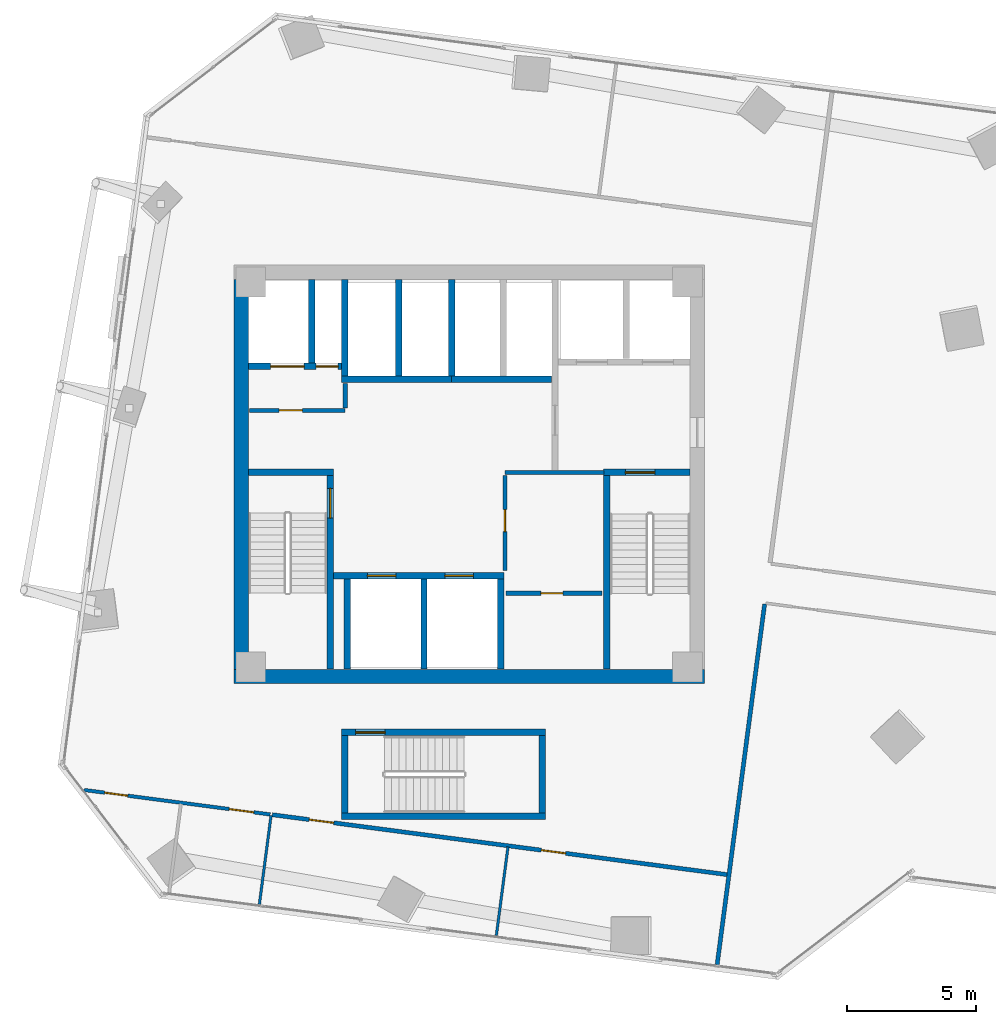
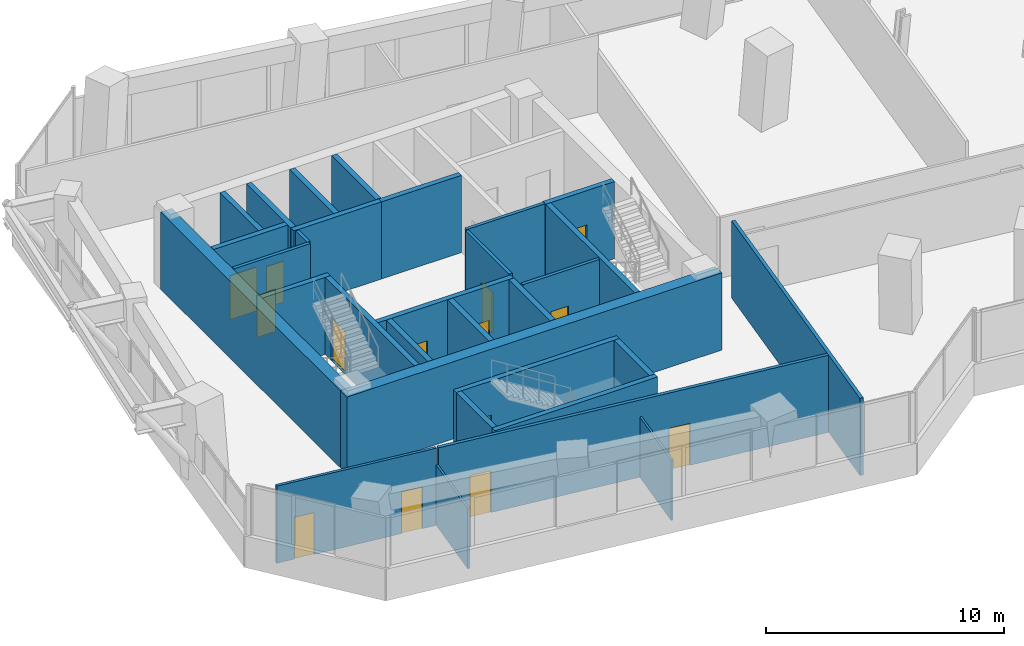
# One storey, part 18 of 24: 31 walls, 14 doors, 14 openings.
"""IFC4 building model written with IfcOpenShell, lengths in metres."""

from ifc_helpers import new_model, si_unit, direction, frame, frame_2d, origin, place, context, subcontext, project, spatial, rectangle, extrude, source, transform, mapped, material, layer, layer_set, type_object, element, fill, save


model = new_model("IFC4")

# Units and contexts
model_context = context("Model", 3, precision=1e-05, world=origin(), true_north=direction((0.0, 1.0)))
body_context = subcontext(model_context, "Body", "Model", "MODEL_VIEW")
ifc_project = project(units=[si_unit("LENGTHUNIT", "METRE"), si_unit("AREAUNIT", "SQUARE_METRE"), si_unit("VOLUMEUNIT", "CUBIC_METRE"), si_unit("PLANEANGLEUNIT", "RADIAN"), si_unit("MASSUNIT", "GRAM", prefix="KILO")], contexts=[model_context])

# Site, building, storey
site_placement = place(None, origin())
site = spatial("IfcSite", under=ifc_project, at=site_placement, CompositionType="ELEMENT")
building_placement = place(site_placement, origin())
building = spatial("IfcBuilding", under=site, at=building_placement, Name="Torre Montelarca", CompositionType="ELEMENT")
storey_placement = place(building_placement, frame((0.0, 0.0, 70.60009765625)))
storey = spatial("IfcBuildingStorey", under=building, at=storey_placement, Name="L15", CompositionType="ELEMENT", Elevation=70.60009765625)

# Wall, opening, door
ifc_material_1 = material(Name="Concrete C40/50", Category="concrete")
ifc_layer_1 = layer(ifc_material_1, 0.25, Name="Concrete C40/50", Category="concrete")
ifc_layer_set_1 = layer_set([ifc_layer_1], Name="Concrete C40/50")
wall_type_1 = type_object("IfcWallType", Name="CW-SHAFT-250", PredefinedType="SHEAR", material=ifc_layer_set_1)
wall_1_placement = place(storey_placement, frame((12.625, 24.4599609375, 0.0), z_axis=(0.0, 0.0, 1.0), x_axis=(0.0, 1.0, 0.0)))
wall_1 = element("IfcWall", 1, at=wall_1_placement, inside=storey, type_object=wall_type_1, Name="L15 Core Shear Wall SH-ST1-E", PredefinedType="SHEAR", context=body_context, shape_type="SweptSolid", body=[
    extrude(rectangle(XDim=7.489990234375, YDim=0.25, at=frame_2d((3.7451171875, 0.0))), origin(), (0.0, 0.0, 1.0), 3.9599609375),
])
opening_1_placement = place(wall_1_placement, frame((5.85009765625, 0.0, 0.0)))
opening_1 = element("IfcOpeningElement", 2, at=opening_1_placement, cuts=wall_1, Name="Opening FD-ST1", PredefinedType="OPENING", context=body_context, shape_type="SweptSolid", body=[
    extrude(rectangle(XDim=1.14990234375, YDim=2.199951171875, at=frame_2d((0.574951171875, 1.10009765625))), frame((0.0, 0.135009765625, 0.0), z_axis=(0.0, -1.0, 0.0), x_axis=(1.0, 0.0, 0.0)), (0.0, 0.0, 1.0), 0.27001953125),
])
ifc_material_2 = material(Name="Galvanized steel fire door", Category="steel")
door_type_1 = type_object("IfcDoorType", Name="DR-STAIR-115", OperationType="NOTDEFINED", PredefinedType="DOOR", material=ifc_material_2)
shared_shape_1 = source(origin(), body_context, "Body", "SweptSolid", [
    extrude(rectangle(XDim=1.14990234375, YDim=2.199951171875, at=frame_2d((0.574951171875, 1.10009765625))), frame((0.0, 0.02490234375, 0.0), z_axis=(0.0, -1.0, 0.0), x_axis=(1.0, 0.0, 0.0)), (0.0, 0.0, 1.0), 0.050048828125),
])
door_1_placement = place(opening_1_placement, origin())
door_1 = element("IfcDoor", 3, at=door_1_placement, inside=storey, type_object=door_type_1, Name="L15 Exit Stair ST1 Fire Door", OperationType="SINGLE_SWING_RIGHT", OverallHeight=2.199951171875, OverallWidth=1.14990234375, PredefinedType="DOOR", context=body_context, shape_type="MappedRepresentation", body=[
    mapped(shared_shape_1, transform((0.0, 0.0, 0.0), scale=1.0)),
])
fill(opening_1, door_1)

# Walls
wall_2_placement = place(storey_placement, frame((9.4599609375, 32.074951171875, 0.0), z_axis=(0.0, 0.0, 1.0), x_axis=(1.0, 0.0, 0.0)))
element("IfcWall", 4, at=wall_2_placement, inside=storey, type_object=wall_type_1, Name="L15 Core Shear Wall SH-ST1-N", PredefinedType="SHEAR", context=body_context, shape_type="SweptSolid", body=[
    extrude(rectangle(XDim=3.2900390625, YDim=0.25, at=frame_2d((1.64501953125, 0.0))), origin(), (0.0, 0.0, 1.0), 3.9599609375),
])
wall_3_placement = place(storey_placement, frame((23.31494140625, 24.4599609375, 0.0), z_axis=(0.0, 0.0, 1.0), x_axis=(0.0, 1.0, 0.0)))
element("IfcWall", 5, at=wall_3_placement, inside=storey, type_object=wall_type_1, Name="L15 Core Shear Wall SH-ST2-W", PredefinedType="SHEAR", context=body_context, shape_type="SweptSolid", body=[
    extrude(rectangle(XDim=7.489990234375, YDim=0.25, at=frame_2d((3.7451171875, 0.0))), origin(), (0.0, 0.0, 1.0), 3.9599609375),
])

# Wall, opening, door
wall_4_placement = place(storey_placement, frame((23.18994140625, 32.074951171875, 0.0), z_axis=(0.0, 0.0, 1.0), x_axis=(1.0, 0.0, 0.0)))
wall_4 = element("IfcWall", 6, at=wall_4_placement, inside=storey, type_object=wall_type_1, Name="L15 Core Shear Wall SH-ST2-N", PredefinedType="SHEAR", context=body_context, shape_type="SweptSolid", body=[
    extrude(rectangle(XDim=3.35009765625, YDim=0.25, at=frame_2d((1.675048828125, 0.0))), origin(), (0.0, 0.0, 1.0), 3.9599609375),
])
opening_2_placement = place(wall_4_placement, frame((0.85009765625, 0.0, 0.0)))
opening_2 = element("IfcOpeningElement", 7, at=opening_2_placement, cuts=wall_4, Name="Opening FD-ST1", PredefinedType="OPENING", context=body_context, shape_type="SweptSolid", body=[
    extrude(rectangle(XDim=1.14990234375, YDim=2.199951171875, at=frame_2d((0.574951171875, 1.10009765625))), frame((0.0, 0.135009765625, 0.0), z_axis=(0.0, -1.0, 0.0), x_axis=(1.0, 0.0, 0.0)), (0.0, 0.0, 1.0), 0.27001953125),
])
door_2_placement = place(opening_2_placement, origin())
door_2 = element("IfcDoor", 8, at=door_2_placement, inside=storey, type_object=door_type_1, Name="L15 Exit Stair ST2 Fire Door", OperationType="SINGLE_SWING_RIGHT", OverallHeight=2.199951171875, OverallWidth=1.14990234375, PredefinedType="DOOR", context=body_context, shape_type="MappedRepresentation", body=[
    mapped(shared_shape_1, transform((0.0, 0.0, 0.0), scale=1.0)),
])
fill(opening_2, door_2)

# Wall, openings, doors
wall_5_placement = place(storey_placement, frame((9.4599609375, 36.179931640625, 0.0), z_axis=(0.0, 0.0, 1.0), x_axis=(1.0, 0.0, 0.0)))
wall_5 = element("IfcWall", 9, at=wall_5_placement, inside=storey, type_object=wall_type_1, Name="L15 Core Shear Wall SH-SV1-S", PredefinedType="SHEAR", context=body_context, shape_type="SweptSolid", body=[
    extrude(rectangle(XDim=3.7900390625, YDim=0.25, at=frame_2d((1.89501953125, 0.0))), origin(), (0.0, 0.0, 1.0), 3.9599609375),
])
opening_3_placement = place(wall_5_placement, frame((2.6201171875, 0.0, 0.0)))
opening_3 = element("IfcOpeningElement", 10, at=opening_3_placement, cuts=wall_5, Name="Opening FD-085", PredefinedType="OPENING", context=body_context, shape_type="SweptSolid", body=[
    extrude(rectangle(XDim=0.85009765625, YDim=2.10009765625, at=frame_2d((0.425048828125, 1.050048828125))), frame((0.0, 0.135009765625, 0.0), z_axis=(0.0, -1.0, 0.0), x_axis=(1.0, 0.0, 0.0)), (0.0, 0.0, 1.0), 0.27001953125),
])
opening_4_placement = place(wall_5_placement, frame((0.85009765625, 0.0, 0.0)))
opening_4 = element("IfcOpeningElement", 11, at=opening_4_placement, cuts=wall_5, Name="Opening LD-130", PredefinedType="OPENING", context=body_context, shape_type="SweptSolid", body=[
    extrude(rectangle(XDim=1.300048828125, YDim=2.25, at=frame_2d((0.64990234375, 1.125))), frame((0.0, 0.135009765625, 0.0), z_axis=(0.0, -1.0, 0.0), x_axis=(1.0, 0.0, 0.0)), (0.0, 0.0, 1.0), 0.27001953125),
])
ifc_material_3 = material(Name="Steel riser access fire door", Category="steel")
door_type_2 = type_object("IfcDoorType", Name="DR-RISER-085", OperationType="NOTDEFINED", PredefinedType="DOOR", material=ifc_material_3)
shared_shape_2 = source(origin(), body_context, "Body", "SweptSolid", [
    extrude(rectangle(XDim=0.85009765625, YDim=2.10009765625, at=frame_2d((0.425048828125, 1.050048828125))), frame((0.0, 0.02490234375, 0.0), z_axis=(0.0, -1.0, 0.0), x_axis=(1.0, 0.0, 0.0)), (0.0, 0.0, 1.0), 0.050048828125),
])
door_3_placement = place(opening_3_placement, origin())
door_3 = element("IfcDoor", 12, at=door_3_placement, inside=storey, type_object=door_type_2, Name="L15 Electrical Riser Shaft Access Door", OperationType="SINGLE_SWING_RIGHT", OverallHeight=2.10009765625, OverallWidth=0.85009765625, PredefinedType="DOOR", context=body_context, shape_type="MappedRepresentation", body=[
    mapped(shared_shape_2, transform((0.0, 0.0, 0.0), scale=1.0)),
])
fill(opening_3, door_3)
ifc_material_4 = material(Name="Brushed stainless steel AISI 316", Category="steel")
door_type_3 = type_object("IfcDoorType", Name="DR-LIFT-130", OperationType="SLIDING_TO_LEFT", PredefinedType="DOOR", material=ifc_material_4)
shared_shape_3 = source(origin(), body_context, "Body", "SweptSolid", [
    extrude(rectangle(XDim=1.300048828125, YDim=2.25, at=frame_2d((0.64990234375, 1.125))), frame((0.0, 0.02490234375, 0.0), z_axis=(0.0, -1.0, 0.0), x_axis=(1.0, 0.0, 0.0)), (0.0, 0.0, 1.0), 0.050048828125),
])
door_4_placement = place(opening_4_placement, origin())
door_4 = element("IfcDoor", 13, at=door_4_placement, inside=storey, type_object=door_type_3, Name="L15 Lift Landing Sliding Door SV-1", OperationType="SLIDING_TO_LEFT", OverallHeight=2.25, OverallWidth=1.300048828125, PredefinedType="DOOR", context=body_context, shape_type="MappedRepresentation", body=[
    mapped(shared_shape_3, transform((0.0, 0.0, 0.0), scale=1.0)),
])
fill(opening_4, door_4)

# Wall
wall_6_placement = place(storey_placement, frame((11.89990234375, 36.31005859375, 0.0), z_axis=(0.0, 0.0, 1.0), x_axis=(0.0, 1.0, 0.0)))
element("IfcWall", 14, at=wall_6_placement, inside=storey, type_object=wall_type_1, Name="L15 Core Shear Wall SH-SV1-E", PredefinedType="SHEAR", context=body_context, shape_type="SweptSolid", body=[
    extrude(rectangle(XDim=3.22998046875, YDim=0.25, at=frame_2d((1.614990234375, 0.0))), origin(), (0.0, 0.0, 1.0), 3.9599609375),
])

# Wall, openings, doors
wall_7_placement = place(storey_placement, frame((12.6298828125, 28.080078125, 0.0), z_axis=(0.0, 0.0, 1.0), x_axis=(1.0, 0.0, 0.0)))
wall_7 = element("IfcWall", 15, at=wall_7_placement, inside=storey, type_object=wall_type_1, Name="L15 Core Shear Wall SH-PLL-N", PredefinedType="SHEAR", context=body_context, shape_type="SweptSolid", body=[
    extrude(rectangle(XDim=6.710205078125, YDim=0.25, at=frame_2d((3.35498046875, 0.0))), origin(), (0.0, 0.0, 1.0), 3.9599609375),
])
opening_5_placement = place(wall_7_placement, frame((1.429931640625, 0.0, 0.0)))
opening_5 = element("IfcOpeningElement", 16, at=opening_5_placement, cuts=wall_7, Name="Opening LD-110", PredefinedType="OPENING", context=body_context, shape_type="SweptSolid", body=[
    extrude(rectangle(XDim=1.10009765625, YDim=2.199951171875, at=frame_2d((0.550048828125, 1.10009765625))), frame((0.0, 0.135009765625, 0.0), z_axis=(0.0, -1.0, 0.0), x_axis=(1.0, 0.0, 0.0)), (0.0, 0.0, 1.0), 0.27001953125),
])
opening_6_placement = place(wall_7_placement, frame((4.429931640625, 0.0, 0.0)))
opening_6 = element("IfcOpeningElement", 17, at=opening_6_placement, cuts=wall_7, Name="Opening LD-110", PredefinedType="OPENING", context=body_context, shape_type="SweptSolid", body=[
    extrude(rectangle(XDim=1.10009765625, YDim=2.199951171875, at=frame_2d((0.550048828125, 1.10009765625))), frame((0.0, 0.135009765625, 0.0), z_axis=(0.0, -1.0, 0.0), x_axis=(1.0, 0.0, 0.0)), (0.0, 0.0, 1.0), 0.27001953125),
])
door_type_4 = type_object("IfcDoorType", Name="DR-LIFT-110", OperationType="SLIDING_TO_LEFT", PredefinedType="DOOR", material=ifc_material_4)
shared_shape_4 = source(origin(), body_context, "Body", "SweptSolid", [
    extrude(rectangle(XDim=1.10009765625, YDim=2.199951171875, at=frame_2d((0.550048828125, 1.10009765625))), frame((0.0, 0.02490234375, 0.0), z_axis=(0.0, -1.0, 0.0), x_axis=(1.0, 0.0, 0.0)), (0.0, 0.0, 1.0), 0.050048828125),
])
door_5_placement = place(opening_5_placement, origin())
door_5 = element("IfcDoor", 18, at=door_5_placement, inside=storey, type_object=door_type_4, Name="L15 Lift Landing Sliding Door PL-L1", OperationType="SLIDING_TO_LEFT", OverallHeight=2.199951171875, OverallWidth=1.10009765625, PredefinedType="DOOR", context=body_context, shape_type="MappedRepresentation", body=[
    mapped(shared_shape_4, transform((0.0, 0.0, 0.0), scale=1.0)),
])
fill(opening_5, door_5)
door_6_placement = place(opening_6_placement, origin())
door_6 = element("IfcDoor", 19, at=door_6_placement, inside=storey, type_object=door_type_4, Name="L15 Lift Landing Sliding Door PL-L2", OperationType="SLIDING_TO_RIGHT", OverallHeight=2.199951171875, OverallWidth=1.10009765625, PredefinedType="DOOR", context=body_context, shape_type="MappedRepresentation", body=[
    mapped(shared_shape_4, transform((0.0, 0.0, 0.0), scale=1.0)),
])
fill(opening_6, door_6)

# Walls
for number, where, z_axis, x_axis, name in (
    (20, (13.280029296875, 24.4599609375, 0.0), (0.0, 0.0, 1.0), (0.0, 1.0, 0.0), "L15 Core Shear Wall SH-PLL-W"),
    (21, (16.25, 24.4599609375, 0.0), (0.0, 0.0, 1.0), (0.0, 1.0, 0.0), "L15 Core Shear Wall SH-PLL-M"),
    (22, (19.219970703125, 24.4599609375, 0.0), (0.0, 0.0, 1.0), (0.0, 1.0, 0.0), "L15 Core Shear Wall SH-PLL-E"),
):
    element("IfcWall", number, at=place(storey_placement, frame(where, z_axis=z_axis, x_axis=x_axis)), inside=storey, type_object=wall_type_1, Name=name, PredefinedType="SHEAR", context=body_context, shape_type="SweptSolid", body=[
        extrude(rectangle(XDim=3.489990234375, YDim=0.25, at=frame_2d((1.7451171875, 0.0))), origin(), (0.0, 0.0, 1.0), 3.9599609375),
    ])
wall_8_placement = place(storey_placement, frame((13.06005859375, 35.679931640625, 0.0), z_axis=(0.0, 0.0, 1.0), x_axis=(1.0, 0.0, 0.0)))
element("IfcWall", 23, at=wall_8_placement, inside=storey, type_object=wall_type_1, Name="L15 Core Shear Wall SH-PLM-S", PredefinedType="SHEAR", context=body_context, shape_type="SweptSolid", body=[
    extrude(rectangle(XDim=4.25, YDim=0.25, at=frame_2d((2.125, 0.0))), origin(), (0.0, 0.0, 1.0), 3.9599609375),
])
for number, where, z_axis, x_axis, name in (
    (24, (13.179931640625, 35.81005859375, 0.0), (0.0, 0.0, 1.0), (0.0, 1.0, 0.0), "L15 Core Shear Wall SH-PLM-W"),
    (25, (15.280029296875, 35.81005859375, 0.0), (0.0, 0.0, 1.0), (0.0, 1.0, 0.0), "L15 Core Shear Wall SH-PLM-M"),
):
    element("IfcWall", number, at=place(storey_placement, frame(where, z_axis=z_axis, x_axis=x_axis)), inside=storey, type_object=wall_type_1, Name=name, PredefinedType="SHEAR", context=body_context, shape_type="SweptSolid", body=[
        extrude(rectangle(XDim=3.72998046875, YDim=0.25, at=frame_2d((1.864990234375, 0.0))), origin(), (0.0, 0.0, 1.0), 3.9599609375),
    ])
wall_9_placement = place(storey_placement, frame((17.320068359375, 35.679931640625, 0.0), z_axis=(0.0, 0.0, 1.0), x_axis=(1.0, 0.0, 0.0)))
element("IfcWall", 26, at=wall_9_placement, inside=storey, type_object=wall_type_1, Name="L15 Core Shear Wall SH-PLH-S", PredefinedType="SHEAR", context=body_context, shape_type="SweptSolid", body=[
    extrude(rectangle(XDim=3.869873046875, YDim=0.25, at=frame_2d((1.93505859375, 0.0))), origin(), (0.0, 0.0, 1.0), 3.9599609375),
])
wall_10_placement = place(storey_placement, frame((17.320068359375, 35.81005859375, 0.0), z_axis=(0.0, 0.0, 1.0), x_axis=(0.0, 1.0, 0.0)))
element("IfcWall", 27, at=wall_10_placement, inside=storey, type_object=wall_type_1, Name="L15 Core Shear Wall SH-PLH-W", PredefinedType="SHEAR", context=body_context, shape_type="SweptSolid", body=[
    extrude(rectangle(XDim=3.72998046875, YDim=0.25, at=frame_2d((1.864990234375, 0.0))), origin(), (0.0, 0.0, 1.0), 3.9599609375),
])
for number, where, z_axis, x_axis, name in (
    (28, (13.175048828125, 18.89990234375, 0.0), (0.0, 0.0, 1.0), (0.0, 1.0, 0.0), "L15 Core Shear Wall SH-ST3-W"),
    (29, (20.824951171875, 18.89990234375, 0.0), (0.0, 0.0, 1.0), (0.0, 1.0, 0.0), "L15 Core Shear Wall SH-ST3-E"),
):
    element("IfcWall", number, at=place(storey_placement, frame(where, z_axis=z_axis, x_axis=x_axis)), inside=storey, type_object=wall_type_1, Name=name, PredefinedType="SHEAR", context=body_context, shape_type="SweptSolid", body=[
        extrude(rectangle(XDim=2.989990234375, YDim=0.25, at=frame_2d((1.4951171875, 0.0))), origin(), (0.0, 0.0, 1.0), 3.9599609375),
    ])
wall_11_placement = place(storey_placement, frame((13.050048828125, 18.77490234375, 0.0), z_axis=(0.0, 0.0, 1.0), x_axis=(1.0, 0.0, 0.0)))
element("IfcWall", 30, at=wall_11_placement, inside=storey, type_object=wall_type_1, Name="L15 Core Shear Wall SH-ST3-S", PredefinedType="SHEAR", context=body_context, shape_type="SweptSolid", body=[
    extrude(rectangle(XDim=7.89990234375, YDim=0.25, at=frame_2d((3.949951171875, 0.0))), origin(), (0.0, 0.0, 1.0), 3.9599609375),
])

# Wall, opening, door
wall_12_placement = place(storey_placement, frame((13.050048828125, 22.014892578125, 0.0), z_axis=(0.0, 0.0, 1.0), x_axis=(1.0, 0.0, 0.0)))
wall_12 = element("IfcWall", 31, at=wall_12_placement, inside=storey, type_object=wall_type_1, Name="L15 Core Shear Wall SH-ST3-N", PredefinedType="SHEAR", context=body_context, shape_type="SweptSolid", body=[
    extrude(rectangle(XDim=7.89990234375, YDim=0.25, at=frame_2d((3.949951171875, 0.0))), origin(), (0.0, 0.0, 1.0), 3.9599609375),
])
opening_7_placement = place(wall_12_placement, frame((0.550048828125, 0.0, 0.0)))
opening_7 = element("IfcOpeningElement", 32, at=opening_7_placement, cuts=wall_12, Name="Opening FD-ST1", PredefinedType="OPENING", context=body_context, shape_type="SweptSolid", body=[
    extrude(rectangle(XDim=1.14990234375, YDim=2.199951171875, at=frame_2d((0.574951171875, 1.10009765625))), frame((0.0, 0.135009765625, 0.0), z_axis=(0.0, -1.0, 0.0), x_axis=(1.0, 0.0, 0.0)), (0.0, 0.0, 1.0), 0.27001953125),
])
door_7_placement = place(opening_7_placement, origin())
door_7 = element("IfcDoor", 33, at=door_7_placement, inside=storey, type_object=door_type_1, Name="L15 Exit Stair ST3 Fire Door", OperationType="SINGLE_SWING_LEFT", OverallHeight=2.199951171875, OverallWidth=1.14990234375, PredefinedType="DOOR", context=body_context, shape_type="MappedRepresentation", body=[
    mapped(shared_shape_1, transform((0.0, 0.0, 0.0), scale=1.0)),
])
fill(opening_7, door_7)

# Walls
ifc_material_5 = material(Name="Concrete C70/85", Category="concrete")
ifc_layer_2 = layer(ifc_material_5, 0.550048828125, Name="Concrete C70/85", Category="concrete")
ifc_layer_set_2 = layer_set([ifc_layer_2], Name="Concrete C70/85")
wall_type_2 = type_object("IfcWallType", Name="CW-SHEAR-550", PredefinedType="SHEAR", material=ifc_layer_set_2)
wall_13_placement = place(storey_placement, frame((9.175048828125, 24.449951171875, 0.0), z_axis=(0.0, 0.0, 1.0), x_axis=(0.0, 1.0, 0.0)))
element("IfcWall", 34, at=wall_13_placement, inside=storey, type_object=wall_type_2, Name="L15 Core Shear Wall CW-W", PredefinedType="SHEAR", context=body_context, shape_type="SweptSolid", body=[
    extrude(rectangle(XDim=15.10009765625, YDim=0.550048828125, at=frame_2d((7.550048828125, 0.0))), origin(), (0.0, 0.0, 1.0), 3.9599609375),
])
wall_14_placement = place(storey_placement, frame((8.89990234375, 24.175048828125, 0.0), z_axis=(0.0, 0.0, 1.0), x_axis=(1.0, 0.0, 0.0)))
element("IfcWall", 35, at=wall_14_placement, inside=storey, type_object=wall_type_2, Name="L15 Core Shear Wall CW-S1", PredefinedType="SHEAR", context=body_context, shape_type="SweptSolid", body=[
    extrude(rectangle(XDim=18.2001953125, YDim=0.550048828125, at=frame_2d((9.10009765625, 0.0))), origin(), (0.0, 0.0, 1.0), 3.9599609375),
])

# Wall, opening, door
ifc_material_6 = material(Name="Gypsum plasterboard on steel stud", Category="steel")
ifc_layer_3 = layer(ifc_material_6, 0.159912109375, Name="Gypsum plasterboard on steel stud", Category="steel")
ifc_layer_set_3 = layer_set([ifc_layer_3], Name="Gypsum plasterboard on steel stud")
wall_type_3 = type_object("IfcWallType", Name="PW-FIRE-160", PredefinedType="PARTITIONING", material=ifc_layer_set_3)
wall_15_placement = place(storey_placement, frame((9.489990234375, 34.47998046875, 0.0), z_axis=(0.0, 0.0, 1.0), x_axis=(1.0, 0.0, 0.0)))
wall_15 = element("IfcWall", 36, at=wall_15_placement, inside=storey, type_object=wall_type_3, Name="L15 Interior Partition CW-L15-SVS", PredefinedType="PARTITIONING", context=body_context, shape_type="SweptSolid", body=[
    extrude(rectangle(XDim=3.699951171875, YDim=0.159912109375, at=frame_2d((1.85009765625, 0.0))), origin(), (0.0, 0.0, 1.0), 3.9599609375),
])
opening_8_placement = place(wall_15_placement, frame((1.14990234375, 0.0, 0.0)))
opening_8 = element("IfcOpeningElement", 37, at=opening_8_placement, cuts=wall_15, Name="Opening FD-090", PredefinedType="OPENING", context=body_context, shape_type="SweptSolid", body=[
    extrude(rectangle(XDim=0.89990234375, YDim=2.14990234375, at=frame_2d((0.449951171875, 1.074951171875))), frame((0.0, 0.08984375, 0.0), z_axis=(0.0, -1.0, 0.0), x_axis=(1.0, 0.0, 0.0)), (0.0, 0.0, 1.0), 0.179931640625),
])
ifc_material_7 = material(Name="Steel service fire door", Category="steel")
door_type_5 = type_object("IfcDoorType", Name="DR-FIRE-090", OperationType="NOTDEFINED", PredefinedType="DOOR", material=ifc_material_7)
shared_shape_5 = source(origin(), body_context, "Body", "SweptSolid", [
    extrude(rectangle(XDim=0.89990234375, YDim=2.14990234375, at=frame_2d((0.449951171875, 1.074951171875))), frame((0.0, 0.02490234375, 0.0), z_axis=(0.0, -1.0, 0.0), x_axis=(1.0, 0.0, 0.0)), (0.0, 0.0, 1.0), 0.050048828125),
])
door_8_placement = place(opening_8_placement, origin())
door_8 = element("IfcDoor", 38, at=door_8_placement, inside=storey, type_object=door_type_5, Name="L15 Interior Door 01", OperationType="SINGLE_SWING_RIGHT", OverallHeight=2.14990234375, OverallWidth=0.89990234375, PredefinedType="DOOR", context=body_context, shape_type="MappedRepresentation", body=[
    mapped(shared_shape_5, transform((0.0, 0.0, 0.0), scale=1.0)),
])
fill(opening_8, door_8)

# Walls
wall_16_placement = place(storey_placement, frame((13.199951171875, 34.570068359375, 0.0), z_axis=(0.0, 0.0, 1.0), x_axis=(0.0, 1.0, 0.0)))
element("IfcWall", 39, at=wall_16_placement, inside=storey, type_object=wall_type_3, Name="L15 Interior Partition CW-L15-SVE", PredefinedType="PARTITIONING", context=body_context, shape_type="SweptSolid", body=[
    extrude(rectangle(XDim=0.93994140625, YDim=0.159912109375, at=frame_2d((0.469970703125, 0.0))), origin(), (0.0, 0.0, 1.0), 3.9599609375),
])
wall_17_placement = place(storey_placement, frame((19.389892578125, 32.080078125, 0.0), z_axis=(0.0, 0.0, 1.0), x_axis=(1.0, 0.0, 0.0)))
element("IfcWall", 40, at=wall_17_placement, inside=storey, type_object=wall_type_3, Name="L15 Interior Partition CW-L15-SEN", PredefinedType="PARTITIONING", context=body_context, shape_type="SweptSolid", body=[
    extrude(rectangle(XDim=3.820068359375, YDim=0.159912109375, at=frame_2d((1.91015625, 0.0))), origin(), (0.0, 0.0, 1.0), 3.9599609375),
])

# Wall, opening, door
wall_18_placement = place(storey_placement, frame((19.3798828125, 28.2900390625, 0.0), z_axis=(0.0, 0.0, 1.0), x_axis=(0.0, 1.0, 0.0)))
wall_18 = element("IfcWall", 41, at=wall_18_placement, inside=storey, type_object=wall_type_3, Name="L15 Interior Partition CW-L15-SEW", PredefinedType="PARTITIONING", context=body_context, shape_type="SweptSolid", body=[
    extrude(rectangle(XDim=3.669921875, YDim=0.159912109375, at=frame_2d((1.8349609375, 0.0))), origin(), (0.0, 0.0, 1.0), 3.9599609375),
])
opening_9_placement = place(wall_18_placement, frame((1.5, 0.0, 0.0)))
opening_9 = element("IfcOpeningElement", 42, at=opening_9_placement, cuts=wall_18, Name="Opening FD-085", PredefinedType="OPENING", context=body_context, shape_type="SweptSolid", body=[
    extrude(rectangle(XDim=0.85009765625, YDim=2.10009765625, at=frame_2d((0.425048828125, 1.050048828125))), frame((0.0, 0.08984375, 0.0), z_axis=(0.0, -1.0, 0.0), x_axis=(1.0, 0.0, 0.0)), (0.0, 0.0, 1.0), 0.179931640625),
])
door_9_placement = place(opening_9_placement, origin())
door_9 = element("IfcDoor", 43, at=door_9_placement, inside=storey, type_object=door_type_2, Name="L15 Interior Door 03", OperationType="SINGLE_SWING_RIGHT", OverallHeight=2.10009765625, OverallWidth=0.85009765625, PredefinedType="DOOR", context=body_context, shape_type="MappedRepresentation", body=[
    mapped(shared_shape_2, transform((0.0, 0.0, 0.0), scale=1.0)),
])
fill(opening_9, door_9)

wall_19_placement = place(storey_placement, frame((19.419921875, 27.39990234375, 0.0), z_axis=(0.0, 0.0, 1.0), x_axis=(1.0, 0.0, 0.0)))
wall_19 = element("IfcWall", 44, at=wall_19_placement, inside=storey, type_object=wall_type_3, Name="L15 Interior Partition CW-L15-SEM1", PredefinedType="PARTITIONING", context=body_context, shape_type="SweptSolid", body=[
    extrude(rectangle(XDim=3.719970703125, YDim=0.159912109375, at=frame_2d((1.85986328125, 0.0))), origin(), (0.0, 0.0, 1.0), 3.9599609375),
])
opening_10_placement = place(wall_19_placement, frame((1.35009765625, 0.0, 0.0)))
opening_10 = element("IfcOpeningElement", 45, at=opening_10_placement, cuts=wall_19, Name="Opening FD-085", PredefinedType="OPENING", context=body_context, shape_type="SweptSolid", body=[
    extrude(rectangle(XDim=0.85009765625, YDim=2.10009765625, at=frame_2d((0.425048828125, 1.050048828125))), frame((0.0, 0.08984375, 0.0), z_axis=(0.0, -1.0, 0.0), x_axis=(1.0, 0.0, 0.0)), (0.0, 0.0, 1.0), 0.179931640625),
])
door_10_placement = place(opening_10_placement, origin())
door_10 = element("IfcDoor", 46, at=door_10_placement, inside=storey, type_object=door_type_2, Name="L15 Interior Door 02", OperationType="SINGLE_SWING_LEFT", OverallHeight=2.10009765625, OverallWidth=0.85009765625, PredefinedType="DOOR", context=body_context, shape_type="MappedRepresentation", body=[
    mapped(shared_shape_2, transform((0.0, 0.0, 0.0), scale=1.0)),
])
fill(opening_10, door_10)

# Wall, openings, doors
wall_20_placement = place(storey_placement, frame((10.375732421875, 18.829345703125, 0.0), z_axis=(0.0, 0.0, 1.0), x_axis=(0.99144504436, -0.130524802294, 0.0)))
wall_20 = element("IfcWall", 47, at=wall_20_placement, inside=storey, type_object=wall_type_3, Name="L15 Interior Partition W-L15-SOCCN", PredefinedType="PARTITIONING", context=body_context, shape_type="SweptSolid", body=[
    extrude(rectangle(XDim=17.789794921875, YDim=0.159912109375, at=frame_2d((8.89501953125, 0.0))), origin(), (0.0, 0.0, 1.0), 3.9599609375),
])
opening_11_placement = place(wall_20_placement, frame((1.449951171875, 0.0, 0.0)))
opening_11 = element("IfcOpeningElement", 48, at=opening_11_placement, cuts=wall_20, Name="Opening FD-095", PredefinedType="OPENING", context=body_context, shape_type="SweptSolid", body=[
    extrude(rectangle(XDim=0.949951171875, YDim=2.14990234375, at=frame_2d((0.47509765625, 1.074951171875))), frame((0.0, 0.08984375, 0.0), z_axis=(0.0, -1.0, 0.0), x_axis=(1.0, 0.0, 0.0)), (0.0, 0.0, 1.0), 0.179931640625),
])
opening_12_placement = place(wall_20_placement, frame((10.5, 0.0, 0.0)))
opening_12 = element("IfcOpeningElement", 49, at=opening_12_placement, cuts=wall_20, Name="Opening FD-095", PredefinedType="OPENING", context=body_context, shape_type="SweptSolid", body=[
    extrude(rectangle(XDim=0.949951171875, YDim=2.14990234375, at=frame_2d((0.47509765625, 1.074951171875))), frame((0.0, 0.08984375, 0.0), z_axis=(0.0, -1.0, 0.0), x_axis=(1.0, 0.0, 0.0)), (0.0, 0.0, 1.0), 0.179931640625),
])
ifc_material_8 = material(Name="Timber fire-rated room door", Category="wood")
door_type_6 = type_object("IfcDoorType", Name="DR-FIRE-095", OperationType="NOTDEFINED", PredefinedType="DOOR", material=ifc_material_8)
shared_shape_6 = source(origin(), body_context, "Body", "SweptSolid", [
    extrude(rectangle(XDim=0.949951171875, YDim=2.14990234375, at=frame_2d((0.47509765625, 1.074951171875))), frame((0.0, 0.02490234375, 0.0), z_axis=(0.0, -1.0, 0.0), x_axis=(1.0, 0.0, 0.0)), (0.0, 0.0, 1.0), 0.050048828125),
])
door_11_placement = place(opening_11_placement, origin())
door_11 = element("IfcDoor", 50, at=door_11_placement, inside=storey, type_object=door_type_6, Name="L15 Interior Door 06", OperationType="SINGLE_SWING_RIGHT", OverallHeight=2.14990234375, OverallWidth=0.949951171875, PredefinedType="DOOR", context=body_context, shape_type="MappedRepresentation", body=[
    mapped(shared_shape_6, transform((0.0, 0.0, 0.0), scale=1.0)),
])
fill(opening_11, door_11)
door_12_placement = place(opening_12_placement, origin())
door_12 = element("IfcDoor", 51, at=door_12_placement, inside=storey, type_object=door_type_6, Name="L15 Interior Door 07", OperationType="SINGLE_SWING_LEFT", OverallHeight=2.14990234375, OverallWidth=0.949951171875, PredefinedType="DOOR", context=body_context, shape_type="MappedRepresentation", body=[
    mapped(shared_shape_6, transform((0.0, 0.0, 0.0), scale=1.0)),
])
fill(opening_12, door_12)

# Walls
wall_21_placement = place(storey_placement, frame((27.594970703125, 13.022216796875, 0.0), z_axis=(0.0, 0.0, 1.0), x_axis=(0.130532558102, 0.991444023269, 0.0)))
element("IfcWall", 52, at=wall_21_placement, inside=storey, type_object=wall_type_3, Name="L15 Interior Partition W-L15-ECS", PredefinedType="PARTITIONING", context=body_context, shape_type="SweptSolid", body=[
    extrude(rectangle(XDim=14.079833984375, YDim=0.159912109375, at=frame_2d((7.0400390625, 0.0))), origin(), (0.0, 0.0, 1.0), 3.9599609375),
])
ifc_material_9 = material(Name="Acoustic laminated glass partition", Category="glass")
ifc_layer_4 = layer(ifc_material_9, 0.10009765625, Name="Acoustic laminated glass partition", Category="glass")
ifc_layer_set_4 = layer_set([ifc_layer_4], Name="Acoustic laminated glass partition")
wall_type_4 = type_object("IfcWallType", Name="PW-GLAZ-100", PredefinedType="PARTITIONING", material=ifc_layer_set_4)
wall_22_placement = place(storey_placement, frame((9.8779296875, 15.3544921875, 0.0), z_axis=(0.0, 0.0, 1.0), x_axis=(0.130509110781, 0.991447110038, 0.0)))
element("IfcWall", 53, at=wall_22_placement, inside=storey, type_object=wall_type_4, Name="L15 Interior Partition W-L15-SWCDIV", PredefinedType="PARTITIONING", context=body_context, shape_type="SweptSolid", body=[
    extrude(rectangle(XDim=3.47021484375, YDim=0.10009765625, at=frame_2d((1.735107421875, 0.0))), origin(), (0.0, 0.0, 1.0), 3.094970703125),
])
wall_23_placement = place(storey_placement, frame((19.048828125, 14.147216796875, 0.0), z_axis=(0.0, 0.0, 1.0), x_axis=(0.130518214887, 0.991445911577, 0.0)))
element("IfcWall", 54, at=wall_23_placement, inside=storey, type_object=wall_type_4, Name="L15 Interior Partition W-L15-SWDIV", PredefinedType="PARTITIONING", context=body_context, shape_type="SweptSolid", body=[
    extrude(rectangle(XDim=3.469970703125, YDim=0.10009765625, at=frame_2d((1.73486328125, 0.0))), origin(), (0.0, 0.0, 1.0), 3.094970703125),
])

# Wall, openings, doors
ifc_layer_5 = layer(ifc_material_6, 0.135009765625, Name="Gypsum plasterboard on steel stud", Category="steel")
ifc_layer_set_5 = layer_set([ifc_layer_5], Name="Gypsum plasterboard on steel stud")
wall_type_5 = type_object("IfcWallType", Name="PW-PART-135", PredefinedType="PARTITIONING", material=ifc_layer_set_5)
wall_24_placement = place(storey_placement, frame((3.0966796875, 19.78759765625, 0.0), z_axis=(0.0, 0.0, 1.0), x_axis=(0.99144674145, -0.130511910828, 0.0)))
wall_24 = element("IfcWall", 55, at=wall_24_placement, inside=storey, type_object=wall_type_5, Name="L15 Interior Partition W-L15-WCN", PredefinedType="PARTITIONING", context=body_context, shape_type="SweptSolid", body=[
    extrude(rectangle(XDim=7.26171875, YDim=0.135009765625, at=frame_2d((3.630859375, 0.0))), origin(), (0.0, 0.0, 1.0), 3.9599609375),
])
opening_13_placement = place(wall_24_placement, frame((0.800048828125, 0.0, 0.0)))
opening_13 = element("IfcOpeningElement", 56, at=opening_13_placement, cuts=wall_24, Name="Opening ID-090", PredefinedType="OPENING", context=body_context, shape_type="SweptSolid", body=[
    extrude(rectangle(XDim=0.89990234375, YDim=2.14990234375, at=frame_2d((0.449951171875, 1.074951171875))), frame((0.0, 0.07763671875, 0.0), z_axis=(0.0, -1.0, 0.0), x_axis=(1.0, 0.0, 0.0)), (0.0, 0.0, 1.0), 0.155029296875),
])
opening_14_placement = place(wall_24_placement, frame((5.669921875, 0.0, 0.0)))
opening_14 = element("IfcOpeningElement", 57, at=opening_14_placement, cuts=wall_24, Name="Opening ID-095", PredefinedType="OPENING", context=body_context, shape_type="SweptSolid", body=[
    extrude(rectangle(XDim=0.949951171875, YDim=2.14990234375, at=frame_2d((0.47509765625, 1.074951171875))), frame((0.0, 0.07763671875, 0.0), z_axis=(0.0, -1.0, 0.0), x_axis=(1.0, 0.0, 0.0)), (0.0, 0.0, 1.0), 0.155029296875),
])
ifc_material_10 = material(Name="Hardwood acoustic timber veneer", Category="wood")
door_type_7 = type_object("IfcDoorType", Name="DR-INT-090", OperationType="NOTDEFINED", PredefinedType="DOOR", material=ifc_material_10)
shared_shape_7 = source(origin(), body_context, "Body", "SweptSolid", [
    extrude(rectangle(XDim=0.89990234375, YDim=2.14990234375, at=frame_2d((0.449951171875, 1.074951171875))), frame((0.0, 0.02490234375, 0.0), z_axis=(0.0, -1.0, 0.0), x_axis=(1.0, 0.0, 0.0)), (0.0, 0.0, 1.0), 0.050048828125),
])
door_13_placement = place(opening_13_placement, origin())
door_13 = element("IfcDoor", 58, at=door_13_placement, inside=storey, type_object=door_type_7, Name="L15 Interior Door 04", OperationType="SINGLE_SWING_LEFT", OverallHeight=2.14990234375, OverallWidth=0.89990234375, PredefinedType="DOOR", context=body_context, shape_type="MappedRepresentation", body=[
    mapped(shared_shape_7, transform((0.0, 0.0, 0.0), scale=1.0)),
])
fill(opening_13, door_13)
door_type_8 = type_object("IfcDoorType", Name="DR-INT-095", OperationType="NOTDEFINED", PredefinedType="DOOR", material=ifc_material_10)
shared_shape_8 = source(origin(), body_context, "Body", "SweptSolid", [
    extrude(rectangle(XDim=0.949951171875, YDim=2.14990234375, at=frame_2d((0.47509765625, 1.074951171875))), frame((0.0, 0.02490234375, 0.0), z_axis=(0.0, -1.0, 0.0), x_axis=(1.0, 0.0, 0.0)), (0.0, 0.0, 1.0), 0.050048828125),
])
door_14_placement = place(opening_14_placement, origin())
door_14 = element("IfcDoor", 59, at=door_14_placement, inside=storey, type_object=door_type_8, Name="L15 Interior Door 05", OperationType="SINGLE_SWING_RIGHT", OverallHeight=2.14990234375, OverallWidth=0.949951171875, PredefinedType="DOOR", context=body_context, shape_type="MappedRepresentation", body=[
    mapped(shared_shape_8, transform((0.0, 0.0, 0.0), scale=1.0)),
])
fill(opening_14, door_14)

save(model, "model.ifc")
